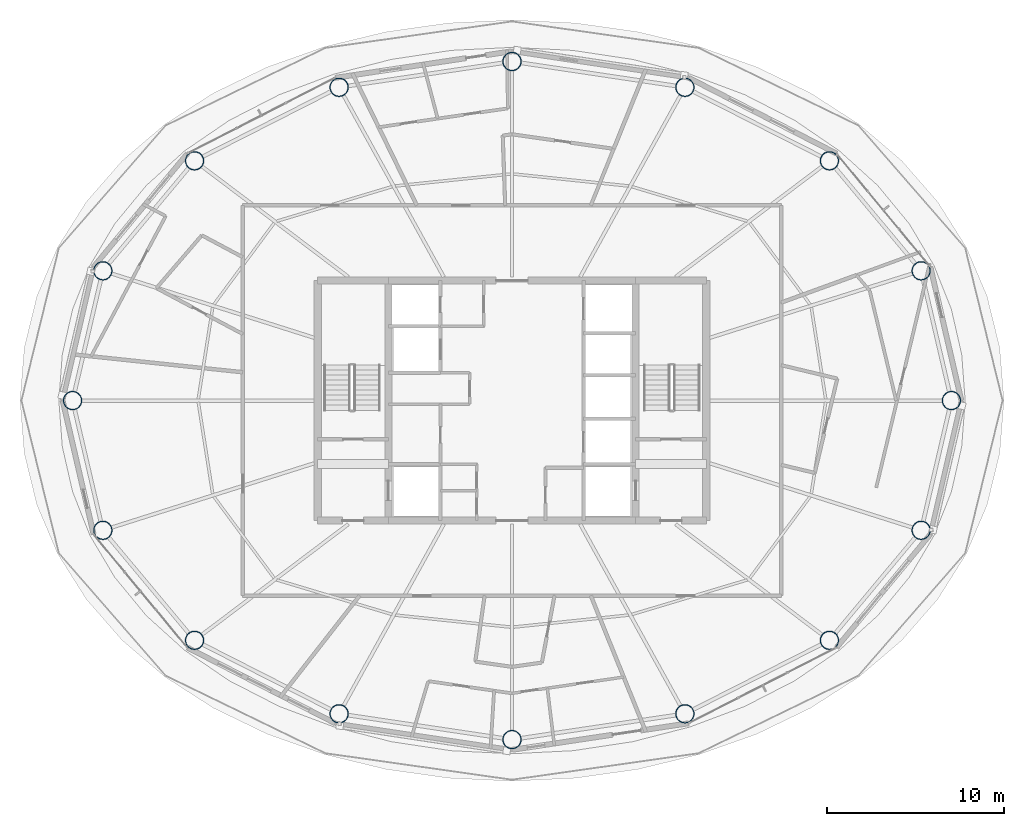
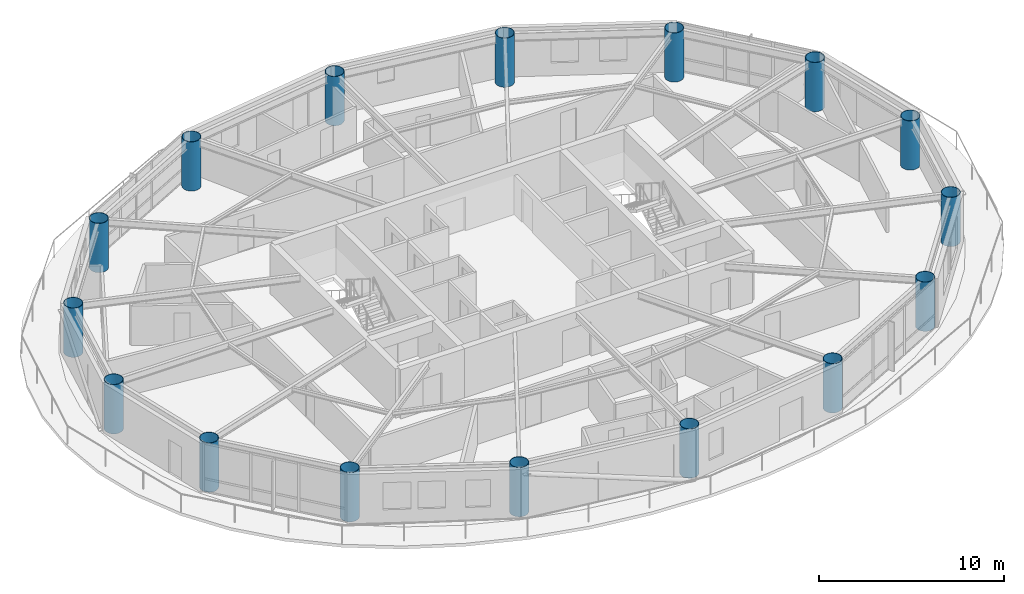
# One storey, part 1 of 24: 16 columns.
"""IFC4 building model written with IfcOpenShell, lengths in metres."""

from ifc_helpers import new_model, si_unit, direction, frame, origin, origin_2d, place, context, subcontext, project, spatial, hollow_circle, extrude, material, material_profile, profile_set, type_object, element, save


model = new_model("IFC4")

# Units and contexts
model_context = context("Model", 3, precision=1e-05, world=origin(), true_north=direction((0.0, 1.0)))
body_context = subcontext(model_context, "Body", "Model", "MODEL_VIEW")
ifc_project = project(units=[si_unit("LENGTHUNIT", "METRE"), si_unit("AREAUNIT", "SQUARE_METRE"), si_unit("VOLUMEUNIT", "CUBIC_METRE"), si_unit("PLANEANGLEUNIT", "RADIAN"), si_unit("MASSUNIT", "GRAM", prefix="KILO")], contexts=[model_context])

# Site, building, storey
site_placement = place(None, origin())
site = spatial("IfcSite", under=ifc_project, at=site_placement, CompositionType="ELEMENT")
building_placement = place(site_placement, origin())
building = spatial("IfcBuilding", under=site, at=building_placement, Name="Sarneth Arch Tower", CompositionType="ELEMENT")
storey_placement = place(building_placement, frame((0.0, 0.0, 253.199951171875)))
storey = spatial("IfcBuildingStorey", under=building, at=storey_placement, Name="L65", CompositionType="ELEMENT", Elevation=253.199951171875)

# Columns
ifc_material = material(Name="Steel S355", Category="steel")
ifc_material_profile = material_profile(ifc_material, hollow_circle(Radius=0.52490234375, WallThickness=0.028076171875, at=origin_2d()), Name="CHS1050x28")
ifc_profile_set = profile_set([ifc_material_profile], Name="Steel S355")
column_type = type_object("IfcColumnType", Name="COL-MEGA-1050", PredefinedType="COLUMN", material=ifc_profile_set)
for number, where, z_axis, x_axis, name in (
    (1, (72.88330078125, 42.0, 0.0), (0.0, 0.0, 1.0), (1.0, 0.0, 0.0), "L65 Perimeter mega-column M01"),
    (2, (71.1689453125, 49.347412109375, 0.0), (0.0, 0.0, 1.0), (1.0, 0.0, 0.0), "L65 Perimeter mega-column M02"),
    (3, (65.975341796875, 55.576416015625, 0.0), (0.0, 0.0, 1.0), (1.0, 0.0, 0.0), "L65 Perimeter mega-column M03"),
    (4, (57.790771484375, 59.738525390625, 0.0), (0.0, 0.0, 1.0), (1.0, 0.0, 0.0), "L65 Perimeter mega-column M04"),
    (5, (48.0, 61.199951171875, 0.0), (0.0, 0.0, 1.0), (1.0, 0.0, 0.0), "L65 Perimeter mega-column M05"),
    (6, (38.209228515625, 59.738525390625, 0.0), (0.0, 0.0, 1.0), (1.0, 0.0, 0.0), "L65 Perimeter mega-column M06"),
    (7, (30.024658203125, 55.576416015625, 0.0), (0.0, 0.0, 1.0), (1.0, 0.0, 0.0), "L65 Perimeter mega-column M07"),
    (8, (24.8310546875, 49.347412109375, 0.0), (0.0, 0.0, 1.0), (1.0, 0.0, 0.0), "L65 Perimeter mega-column M08"),
    (9, (23.11669921875, 42.0, 0.0), (0.0, 0.0, 1.0), (1.0, 0.0, 0.0), "L65 Perimeter mega-column M09"),
    (10, (24.8310546875, 34.652587890625, 0.0), (0.0, 0.0, 1.0), (1.0, 0.0, 0.0), "L65 Perimeter mega-column M10"),
    (11, (30.024658203125, 28.423583984375, 0.0), (0.0, 0.0, 1.0), (1.0, 0.0, 0.0), "L65 Perimeter mega-column M11"),
    (12, (38.209228515625, 24.261474609375, 0.0), (0.0, 0.0, 1.0), (1.0, 0.0, 0.0), "L65 Perimeter mega-column M12"),
    (13, (48.0, 22.800048828125, 0.0), (0.0, 0.0, 1.0), (1.0, 0.0, 0.0), "L65 Perimeter mega-column M13"),
    (14, (57.790771484375, 24.261474609375, 0.0), (0.0, 0.0, 1.0), (1.0, 0.0, 0.0), "L65 Perimeter mega-column M14"),
    (15, (65.975341796875, 28.423583984375, 0.0), (0.0, 0.0, 1.0), (1.0, 0.0, 0.0), "L65 Perimeter mega-column M15"),
    (16, (71.1689453125, 34.652587890625, 0.0), (0.0, 0.0, 1.0), (1.0, 0.0, 0.0), "L65 Perimeter mega-column M16"),
):
    element("IfcColumn", number, at=place(storey_placement, frame(where, z_axis=z_axis, x_axis=x_axis)), inside=storey, type_object=column_type, Name=name, PredefinedType="COLUMN", context=body_context, shape_type="SweptSolid", body=[
        extrude(hollow_circle(Radius=0.52490234375, WallThickness=0.028076171875, at=origin_2d()), origin(), (0.0, 0.0, 1.0), 3.25),
    ])

save(model, "model.ifc")
